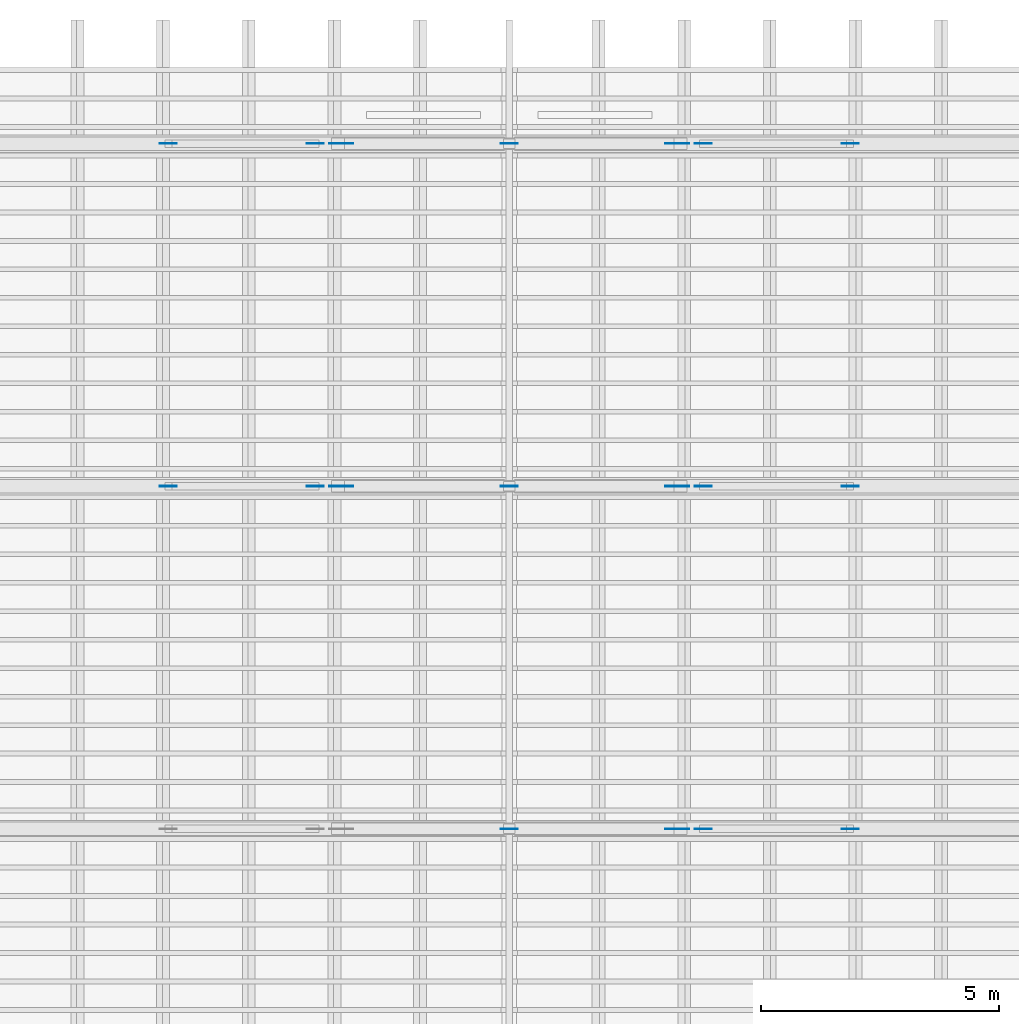
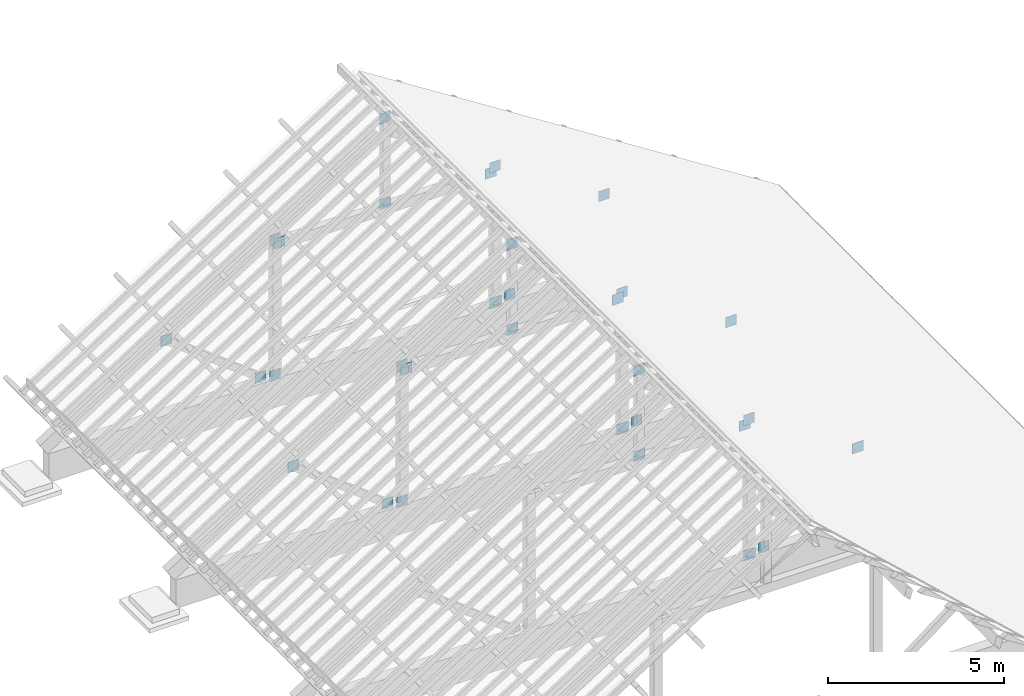
# One storey, part 51 of 71: 31 discrete accessories.
"""IFC4 building model written with IfcOpenShell, lengths in metres."""

from ifc_helpers import new_model, si_unit, direction, frame, origin, origin_2d, place, context, subcontext, project, spatial, rectangle, extrude, material, type_object, element, save


model = new_model("IFC4")

# Units and contexts
model_context = context("Model", 3, precision=1e-05, world=origin(), true_north=direction((0.0, 1.0)))
body_context = subcontext(model_context, "Body", "Model", "MODEL_VIEW")
ifc_project = project(units=[si_unit("LENGTHUNIT", "METRE"), si_unit("AREAUNIT", "SQUARE_METRE"), si_unit("VOLUMEUNIT", "CUBIC_METRE"), si_unit("PLANEANGLEUNIT", "RADIAN"), si_unit("MASSUNIT", "GRAM", prefix="KILO")], contexts=[model_context])

# Site, building, storey
site_placement = place(None, origin())
site = spatial("IfcSite", under=ifc_project, at=site_placement, CompositionType="ELEMENT")
building_placement = place(site_placement, origin())
building = spatial("IfcBuilding", under=site, at=building_placement, Name="Mazhai Court Health Centre", CompositionType="ELEMENT")
storey_placement = place(building_placement, frame((0.0, 0.0, 10.199951171875)))
storey = spatial("IfcBuildingStorey", under=building, at=storey_placement, Name="L02", CompositionType="ELEMENT", Elevation=10.199951171875)

# Discrete accessories
ifc_material = material(Name="Steel IS 2062 E250", Category="steel")
discrete_accessory_type = type_object("IfcDiscreteAccessoryType", Name="TRUSS NODE PLATE 12", PredefinedType="BRACKET", material=ifc_material)
for number, where, z_axis, x_axis, name in (
    (1, (56.60009765625, 42.199951171875, 0.81982421875), (0.0, 0.0, 1.0), (1.0, 0.0, 0.0), "Node plate Post TV1-5-P1 end a"),
    (2, (56.60009765625, 42.199951171875, 5.51318359375), (0.0, 0.0, 1.0), (1.0, 0.0, 0.0), "Node plate Post TV1-5-P1 end b"),
    (3, (56.4599609375, 42.199951171875, 5.353515625), (0.0, 0.0, 1.0), (1.0, 0.0, 0.0), "Node plate Collar TV1-5-SB1 end a"),
    (4, (53.0, 42.199951171875, 5.51318359375), (0.0, 0.0, 1.0), (1.0, 0.0, 0.0), "Node plate Post TV1-5-P3 end a"),
    (5, (53.0, 42.199951171875, 8.47216796875), (0.0, 0.0, 1.0), (1.0, 0.0, 0.0), "Node plate Post TV1-5-P3 end b"),
    (6, (57.07568359375, 42.199951171875, 0.91552734375), (0.0, 0.0, 1.0), (1.0, 0.0, 0.0), "Node plate Strut TV1-5-S1 end a"),
    (7, (60.165283203125, 42.199951171875, 3.2802734375), (0.0, 0.0, 1.0), (1.0, 0.0, 0.0), "Node plate Strut TV1-5-S1 end b"),
    (8, (56.60009765625, 49.39990234375, 0.81982421875), (0.0, 0.0, 1.0), (1.0, 0.0, 0.0), "Node plate Post TV1-6-P1 end a"),
    (9, (56.60009765625, 49.39990234375, 5.51318359375), (0.0, 0.0, 1.0), (1.0, 0.0, 0.0), "Node plate Post TV1-6-P1 end b"),
    (10, (49.39990234375, 49.39990234375, 0.81982421875), (0.0, 0.0, 1.0), (1.0, 0.0, 0.0), "Node plate Post TV1-6-P2 end a"),
    (11, (49.39990234375, 49.39990234375, 5.51318359375), (0.0, 0.0, 1.0), (1.0, 0.0, 0.0), "Node plate Post TV1-6-P2 end b"),
    (12, (56.4599609375, 49.39990234375, 5.353515625), (0.0, 0.0, 1.0), (1.0, 0.0, 0.0), "Node plate Collar TV1-6-SB1 end a"),
    (13, (49.5400390625, 49.39990234375, 5.353515625), (0.0, 0.0, 1.0), (1.0, 0.0, 0.0), "Node plate Collar TV1-6-SB1 end b"),
    (14, (53.0, 49.39990234375, 5.51318359375), (0.0, 0.0, 1.0), (1.0, 0.0, 0.0), "Node plate Post TV1-6-P3 end a"),
    (15, (53.0, 49.39990234375, 8.47216796875), (0.0, 0.0, 1.0), (1.0, 0.0, 0.0), "Node plate Post TV1-6-P3 end b"),
    (16, (57.07568359375, 49.39990234375, 0.91552734375), (0.0, 0.0, 1.0), (1.0, 0.0, 0.0), "Node plate Strut TV1-6-S1 end a"),
    (17, (60.165283203125, 49.39990234375, 3.2802734375), (0.0, 0.0, 1.0), (1.0, 0.0, 0.0), "Node plate Strut TV1-6-S1 end b"),
    (18, (48.92431640625, 49.39990234375, 0.91552734375), (0.0, 0.0, 1.0), (1.0, 0.0, 0.0), "Node plate Strut TV1-6-S2 end a"),
    (19, (45.834716796875, 49.39990234375, 3.2802734375), (0.0, 0.0, 1.0), (1.0, 0.0, 0.0), "Node plate Strut TV1-6-S2 end b"),
    (20, (56.60009765625, 56.60009765625, 0.81982421875), (0.0, 0.0, 1.0), (1.0, 0.0, 0.0), "Node plate Post TV1-7-P1 end a"),
    (21, (56.60009765625, 56.60009765625, 5.51318359375), (0.0, 0.0, 1.0), (1.0, 0.0, 0.0), "Node plate Post TV1-7-P1 end b"),
    (22, (49.39990234375, 56.60009765625, 0.81982421875), (0.0, 0.0, 1.0), (1.0, 0.0, 0.0), "Node plate Post TV1-7-P2 end a"),
    (23, (49.39990234375, 56.60009765625, 5.51318359375), (0.0, 0.0, 1.0), (1.0, 0.0, 0.0), "Node plate Post TV1-7-P2 end b"),
    (24, (56.4599609375, 56.60009765625, 5.353515625), (0.0, 0.0, 1.0), (1.0, 0.0, 0.0), "Node plate Collar TV1-7-SB1 end a"),
    (25, (49.5400390625, 56.60009765625, 5.353515625), (0.0, 0.0, 1.0), (1.0, 0.0, 0.0), "Node plate Collar TV1-7-SB1 end b"),
    (26, (53.0, 56.60009765625, 5.51318359375), (0.0, 0.0, 1.0), (1.0, 0.0, 0.0), "Node plate Post TV1-7-P3 end a"),
    (27, (53.0, 56.60009765625, 8.47216796875), (0.0, 0.0, 1.0), (1.0, 0.0, 0.0), "Node plate Post TV1-7-P3 end b"),
    (28, (57.07568359375, 56.60009765625, 0.91552734375), (0.0, 0.0, 1.0), (1.0, 0.0, 0.0), "Node plate Strut TV1-7-S1 end a"),
    (29, (60.165283203125, 56.60009765625, 3.2802734375), (0.0, 0.0, 1.0), (1.0, 0.0, 0.0), "Node plate Strut TV1-7-S1 end b"),
    (30, (48.92431640625, 56.60009765625, 0.91552734375), (0.0, 0.0, 1.0), (1.0, 0.0, 0.0), "Node plate Strut TV1-7-S2 end a"),
    (31, (45.834716796875, 56.60009765625, 3.2802734375), (0.0, 0.0, 1.0), (1.0, 0.0, 0.0), "Node plate Strut TV1-7-S2 end b"),
):
    element("IfcDiscreteAccessory", number, at=place(storey_placement, frame(where, z_axis=z_axis, x_axis=x_axis)), inside=storey, type_object=discrete_accessory_type, Name=name, PredefinedType="BRACKET", context=body_context, shape_type="SweptSolid", body=[
        extrude(rectangle(XDim=0.360107421875, YDim=0.011962890625, at=origin_2d()), origin(), (0.0, 0.0, 1.0), 0.360107421875),
    ])

save(model, "model.ifc")
